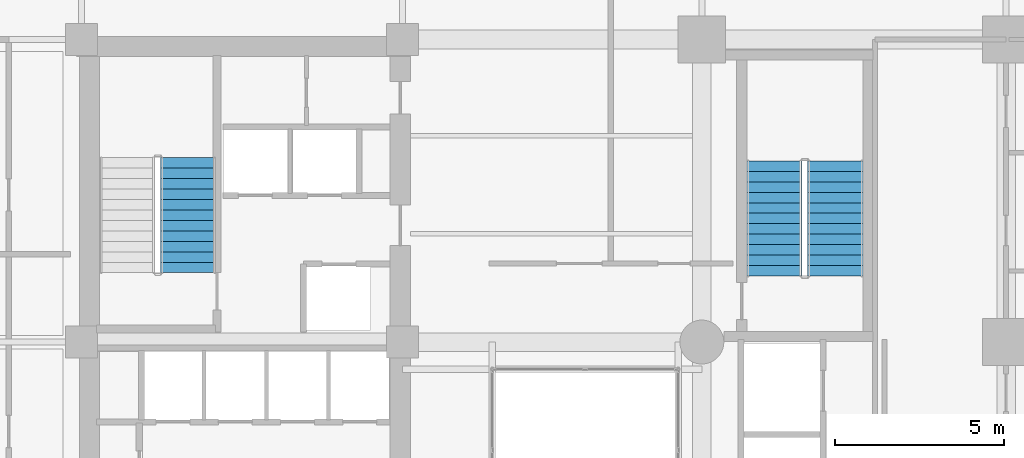
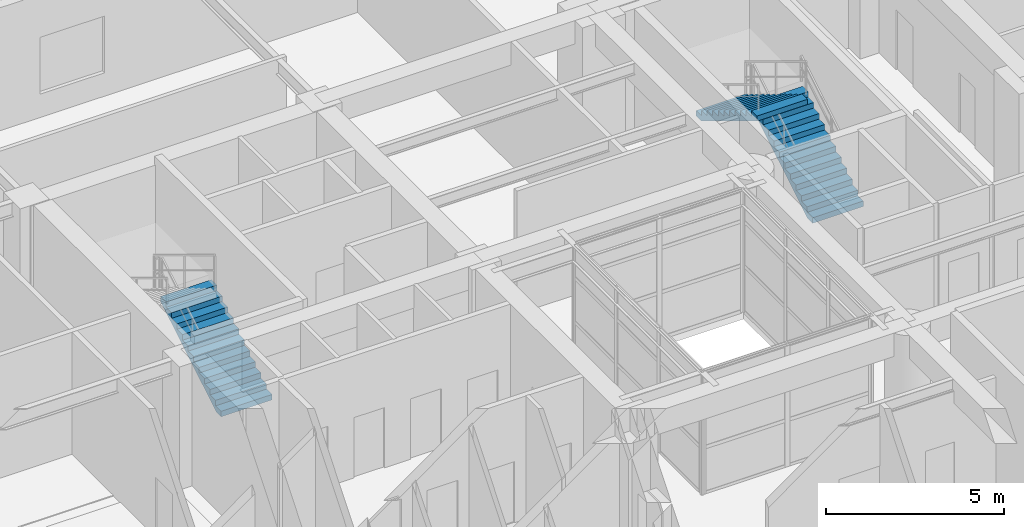
# One storey, part 10 of 13: 3 stair flights, 2 elements without a shape of their own.
"""IFC4 building model written with IfcOpenShell, lengths in metres."""

import ifcopenshell
import ifcopenshell.guid

model = None  # the IFC model being written
_history = None  # IfcOwnerHistory: only IFC2X3 demands one
_inside = {}  # id of a spatial element -> (the spatial element, [elements in it])
_under = {}  # id of a project, library or spatial element -> (it, [spatial elements below it])
_declared = {}  # id of a project -> (the project, [libraries it declares])
_typed = {}  # id of a type object -> (the type object, [elements of that type])
_made_of = {}  # id of a material, layer set ... -> (it, [elements and type objects made of it])


def new_model(schema):
    """Start an empty IFC model of exactly this schema.

    Asked for "IFC4X3", IfcOpenShell would pick the latest addendum, in which some entities
    have other attributes; the version numbers below select the first issue.
    IFC2X3 requires an IfcOwnerHistory on every rooted entity: one is made here for all.
    """
    global model, _history
    if schema == "IFC4X3":
        model = ifcopenshell.file(schema_version=(4, 3, 0, 0))
    else:
        model = ifcopenshell.file(schema=schema)
    _inside.clear()
    _under.clear()
    _declared.clear()
    _typed.clear()
    _made_of.clear()
    _history = None
    if model.schema == "IFC2X3":
        org = make("IfcOrganization", Name="unknown")
        user = make(
            "IfcPersonAndOrganization",
            ThePerson=make("IfcPerson", FamilyName="unknown"),
            TheOrganization=org,
        )
        app = make(
            "IfcApplication",
            ApplicationDeveloper=org,
            Version="unknown",
            ApplicationFullName="unknown",
            ApplicationIdentifier="unknown",
        )
        _history = make(
            "IfcOwnerHistory",
            OwningUser=user,
            OwningApplication=app,
            ChangeAction="ADDED",
            CreationDate=0,
        )
    return model


def make(cls, **values):
    """One entity of the class cls with the attributes given. An attribute that is None is left unset."""
    return model.create_entity(
        cls, **{name: value for name, value in values.items() if value is not None}
    )


def rooted(cls, **values):
    """An entity with a GlobalId (a new one), such as an element, a storey or a relation."""
    return make(cls, GlobalId=ifcopenshell.guid.new(), OwnerHistory=_history, **values)


def si_unit(unit_type, name, prefix=None):
    """IfcSIUnit, for example si_unit("LENGTHUNIT", "METRE", prefix="MILLI")."""
    return make("IfcSIUnit", UnitType=unit_type, Prefix=prefix, Name=name)


def assignment(units):
    """IfcUnitAssignment: the units of a project."""
    return None if units is None else make("IfcUnitAssignment", Units=units)


def point(xyz):
    """IfcCartesianPoint."""
    return None if xyz is None else make("IfcCartesianPoint", Coordinates=xyz)


def direction(xyz):
    """IfcDirection."""
    return None if xyz is None else make("IfcDirection", DirectionRatios=xyz)


def frame(location, z_axis=None, x_axis=None):
    """IfcAxis2Placement3D, a coordinate frame: its origin and axes. An axis left out is left unset."""
    return make(
        "IfcAxis2Placement3D",
        Location=point(location),
        Axis=direction(z_axis),
        RefDirection=direction(x_axis),
    )


def origin():
    """The frame at (0, 0, 0) with its axes left unset."""
    return frame((0.0, 0.0, 0.0))


def place(relative_to, where):
    """IfcLocalPlacement: puts the frame where relative to a parent placement (None: the world)."""
    return make(
        "IfcLocalPlacement", PlacementRelTo=relative_to, RelativePlacement=where
    )


def context(
    kind, dimensions, precision=None, world=None, true_north=None, identifier=None
):
    """IfcGeometricRepresentationContext, for example the 3D "Model" context."""
    return make(
        "IfcGeometricRepresentationContext",
        ContextIdentifier=identifier,
        ContextType=kind,
        CoordinateSpaceDimension=dimensions,
        Precision=precision,
        WorldCoordinateSystem=world,
        TrueNorth=true_north,
    )


def subcontext(parent, identifier, kind, view, scale=None):
    """IfcGeometricRepresentationSubContext, for example "Body" below "Model"."""
    return make(
        "IfcGeometricRepresentationSubContext",
        ContextIdentifier=identifier,
        ContextType=kind,
        ParentContext=parent,
        TargetScale=scale,
        TargetView=view,
    )


def project(units=None, contexts=None):
    """IfcProject with its units and contexts."""
    return rooted(
        "IfcProject",
        Name="project",
        RepresentationContexts=contexts,
        UnitsInContext=assignment(units),
    )


def spatial(cls, under=None, at=None, **own):
    """A site, building, storey or space (cls), placed at a placement, below another one or the project."""
    s = rooted(cls, ObjectPlacement=at, **own)
    if under is not None:
        _under.setdefault(under.id(), (under, []))[1].append(s)
    return s


def polyline(points):
    """IfcPolyline through the points."""
    return make("IfcPolyline", Points=[point(p) for p in points])


def outline(outer, holes=None, kind="AREA"):
    """IfcArbitraryClosedProfileDef: a profile drawn as a closed curve; with holes, ...WithVoids."""
    if holes is None:
        return make("IfcArbitraryClosedProfileDef", ProfileType=kind, OuterCurve=outer)
    return make(
        "IfcArbitraryProfileDefWithVoids",
        ProfileType=kind,
        OuterCurve=outer,
        InnerCurves=holes,
    )


def extrude(swept, where, along, depth):
    """IfcExtrudedAreaSolid: the profile swept, set in the frame where, extruded along a direction by depth."""
    return make(
        "IfcExtrudedAreaSolid",
        SweptArea=swept,
        Position=where,
        ExtrudedDirection=direction(along),
        Depth=depth,
    )


def shape(context_of_items, identifier, shape_type, items):
    """IfcShapeRepresentation: the items that make up one representation, for example the "Body"."""
    return make(
        "IfcShapeRepresentation",
        ContextOfItems=context_of_items,
        RepresentationIdentifier=identifier,
        RepresentationType=shape_type,
        Items=items,
    )


def material(Name=None, Category=None):
    """IfcMaterial."""
    return make("IfcMaterial", Name=Name, Category=Category)


def made_of(thing, what):
    """Note that an element or type object is made of a material, layer set ...; save() writes the relation."""
    if what is not None:
        _made_of.setdefault(what.id(), (what, []))[1].append(thing)
    return thing


def type_object(cls, material=None, **own):
    """A type object (cls), such as IfcWallType, which elements share."""
    return made_of(rooted(cls, **own), material)


def element(
    cls,
    number,
    at=None,
    inside=None,
    cuts=None,
    type_object=None,
    material=None,
    context=None,
    identifier="Body",
    shape_type=None,
    held_by="IfcProductDefinitionShape",
    body=None,
    shapes=None,
    **own,
):
    """One element of the class cls, such as IfcWall. Its Tag is "e" and its number.

    at: its placement. inside: the storey or other place that contains it. cuts: it is an
    opening in that element (IfcRelVoidsElement). A single representation is given by context,
    identifier, shape_type and body (its items); several are given by shapes. held_by: the class
    of the entity that holds the representations. save() writes the other relations.
    """
    e = rooted(cls, Tag="e%d" % number, ObjectPlacement=at, **own)
    if body is not None:
        shapes = [shape(context, identifier, shape_type, body)]
    if shapes is not None:
        e.Representation = make(held_by, Representations=shapes)
    if inside is not None:
        _inside.setdefault(inside.id(), (inside, []))[1].append(e)
    if cuts is not None:
        rooted(
            "IfcRelVoidsElement", RelatingBuildingElement=cuts, RelatedOpeningElement=e
        )
    if type_object is not None:
        _typed.setdefault(type_object.id(), (type_object, []))[1].append(e)
    return made_of(e, material)


def aggregate(whole, parts):
    """IfcRelAggregates: a whole, such as a stair, and the parts it consists of."""
    return rooted("IfcRelAggregates", RelatingObject=whole, RelatedObjects=parts)


def save(model, path):
    """Write the relations noted so far, then the file.

    IfcRelAggregates (storeys below a building ...), IfcRelContainedInSpatialStructure (elements
    in a storey), IfcRelDefinesByType, IfcRelAssociatesMaterial and IfcRelDeclares: one each for
    every whole, place, type object, material and project.
    """
    for whole, parts in _under.values():
        aggregate(whole, parts)
    for where, things in _inside.values():
        rooted(
            "IfcRelContainedInSpatialStructure",
            RelatedElements=things,
            RelatingStructure=where,
        )
    for kind, things in _typed.values():
        rooted("IfcRelDefinesByType", RelatedObjects=things, RelatingType=kind)
    for what, things in _made_of.values():
        rooted("IfcRelAssociatesMaterial", RelatedObjects=things, RelatingMaterial=what)
    for by, libraries in _declared.values():
        rooted("IfcRelDeclares", RelatingContext=by, RelatedDefinitions=libraries)
    model.write(path)


model = new_model("IFC4")

# Units and contexts
model_context = context("Model", 3, precision=1e-05, world=origin(), true_north=direction((0.0, 1.0)))
body_context = subcontext(model_context, "Body", "Model", "MODEL_VIEW")
ifc_project = project(units=[si_unit("LENGTHUNIT", "METRE"), si_unit("AREAUNIT", "SQUARE_METRE"), si_unit("VOLUMEUNIT", "CUBIC_METRE"), si_unit("PLANEANGLEUNIT", "RADIAN"), si_unit("MASSUNIT", "GRAM", prefix="KILO")], contexts=[model_context])

# Site, building, storey
site_placement = place(None, origin())
site = spatial("IfcSite", under=ifc_project, at=site_placement, CompositionType="ELEMENT")
building_placement = place(site_placement, origin())
building = spatial("IfcBuilding", under=site, at=building_placement, Name="Kundavana Baori Tower", CompositionType="ELEMENT")
storey_placement = place(building_placement, frame((0.0, 0.0, 21.5)))
storey = spatial("IfcBuildingStorey", under=building, at=storey_placement, Name="L04", CompositionType="ELEMENT", Elevation=21.5)

# Stair, stair flight
ifc_material_1 = material(Name="Concrete C40/50", Category="concrete")
stair_type = type_object("IfcStairType", Name="STR-DOG-1650", PredefinedType="HALF_TURN_STAIR", material=ifc_material_1)
stair_1_placement = place(storey_placement, origin())
stair_1 = element("IfcStair", 1, at=stair_1_placement, inside=storey, type_object=stair_type, Name="L04 Protected Exit Stair ST2", PredefinedType="HALF_TURN_STAIR")
ifc_material_2 = material(Name="Concrete C40/50", Category="concrete")
stair_flight_type = type_object("IfcStairFlightType", Name="SFL-RC-1650", PredefinedType="STRAIGHT", material=ifc_material_2)
stair_flight_1_placement = place(storey_placement, frame((18.614990234375, 35.050048828125, 0.0), z_axis=(0.0, 0.0, 1.0), x_axis=(0.0, 1.0, 0.0)))
stair_flight_1 = element("IfcStairFlight", 2, at=stair_flight_1_placement, type_object=stair_flight_type, Name="ST2 flight 1", NumberOfRisers=12, NumberOfTreads=11, PredefinedType="STRAIGHT", RiserHeight=0.1875, TreadLength=0.31, context=body_context, shape_type="SweptSolid", body=[
    extrude(outline(polyline([(0.0, 0.0), (0.0, 0.1875), (0.31005859375, 0.1875), (0.31005859375, 0.375), (0.6201171875, 0.375), (0.6201171875, 0.5625), (0.929931640625, 0.5625), (0.929931640625, 0.75), (1.239990234375, 0.75), (1.239990234375, 0.9375), (1.550048828125, 0.9375), (1.550048828125, 1.125), (1.860107421875, 1.125), (1.860107421875, 1.3125), (2.169921875, 1.3125), (2.169921875, 1.5), (2.47998046875, 1.5), (2.47998046875, 1.6875), (2.7900390625, 1.6875), (2.7900390625, 1.875), (3.10009765625, 1.875), (3.10009765625, 2.0625), (3.409912109375, 2.0625), (3.409912109375, 2.25), (3.409912109375, 1.88720703125), (0.28955078125, 0.0), (0.0, 0.0)])), frame((0.0, 0.824951171875, 0.0), z_axis=(0.0, -1.0, 0.0), x_axis=(1.0, 0.0, 0.0)), (0.0, 0.0, 1.0), 1.64990234375),
])
aggregate(stair_1, [stair_flight_1])

# Stair, stair flights
stair_2_placement = place(storey_placement, origin())
stair_2 = element("IfcStair", 3, at=stair_2_placement, inside=storey, type_object=stair_type, Name="L04 Protected Exit Stair ST3", PredefinedType="HALF_TURN_STAIR")
stair_flight_2_placement = place(storey_placement, frame((37.7548828125, 34.949951171875, 0.0), z_axis=(0.0, 0.0, 1.0), x_axis=(0.0, 1.0, 0.0)))
stair_flight_2 = element("IfcStairFlight", 4, at=stair_flight_2_placement, type_object=stair_flight_type, Name="ST3 flight 1", NumberOfRisers=12, NumberOfTreads=11, PredefinedType="STRAIGHT", RiserHeight=0.1875, TreadLength=0.31, context=body_context, shape_type="SweptSolid", body=[
    extrude(outline(polyline([(0.0, 0.0), (0.0, 0.1875), (0.31005859375, 0.1875), (0.31005859375, 0.375), (0.6201171875, 0.375), (0.6201171875, 0.5625), (0.929931640625, 0.5625), (0.929931640625, 0.75), (1.239990234375, 0.75), (1.239990234375, 0.9375), (1.550048828125, 0.9375), (1.550048828125, 1.125), (1.860107421875, 1.125), (1.860107421875, 1.3125), (2.169921875, 1.3125), (2.169921875, 1.5), (2.47998046875, 1.5), (2.47998046875, 1.6875), (2.7900390625, 1.6875), (2.7900390625, 1.875), (3.10009765625, 1.875), (3.10009765625, 2.0625), (3.409912109375, 2.0625), (3.409912109375, 2.25), (3.409912109375, 1.88720703125), (0.28955078125, 0.0), (0.0, 0.0)])), frame((0.0, 0.824951171875, 0.0), z_axis=(0.0, -1.0, 0.0), x_axis=(1.0, 0.0, 0.0)), (0.0, 0.0, 1.0), 1.64990234375),
])
stair_flight_3_placement = place(storey_placement, frame((35.945068359375, 38.360107421875, 2.25), z_axis=(0.0, 0.0, 1.0), x_axis=(0.0, -1.0, 0.0)))
stair_flight_3 = element("IfcStairFlight", 5, at=stair_flight_3_placement, type_object=stair_flight_type, Name="ST3 flight 2", NumberOfRisers=12, NumberOfTreads=11, PredefinedType="STRAIGHT", RiserHeight=0.1875, TreadLength=0.31, context=body_context, shape_type="SweptSolid", body=[
    extrude(outline(polyline([(0.0, 0.0), (0.0, 0.1875), (0.31005859375, 0.1875), (0.31005859375, 0.375), (0.6201171875, 0.375), (0.6201171875, 0.5625), (0.929931640625, 0.5625), (0.929931640625, 0.75), (1.239990234375, 0.75), (1.239990234375, 0.9375), (1.550048828125, 0.9375), (1.550048828125, 1.125), (1.860107421875, 1.125), (1.860107421875, 1.3125), (2.169921875, 1.3125), (2.169921875, 1.5), (2.47998046875, 1.5), (2.47998046875, 1.6875), (2.7900390625, 1.6875), (2.7900390625, 1.875), (3.10009765625, 1.875), (3.10009765625, 2.0625), (3.409912109375, 2.0625), (3.409912109375, 2.25), (3.409912109375, 1.88720703125), (0.28955078125, 0.0), (0.0, 0.0)])), frame((0.0, 0.824951171875, 0.0), z_axis=(0.0, -1.0, 0.0), x_axis=(1.0, 0.0, 0.0)), (0.0, 0.0, 1.0), 1.64990234375),
])
aggregate(stair_2, [stair_flight_2, stair_flight_3])

save(model, "model.ifc")
